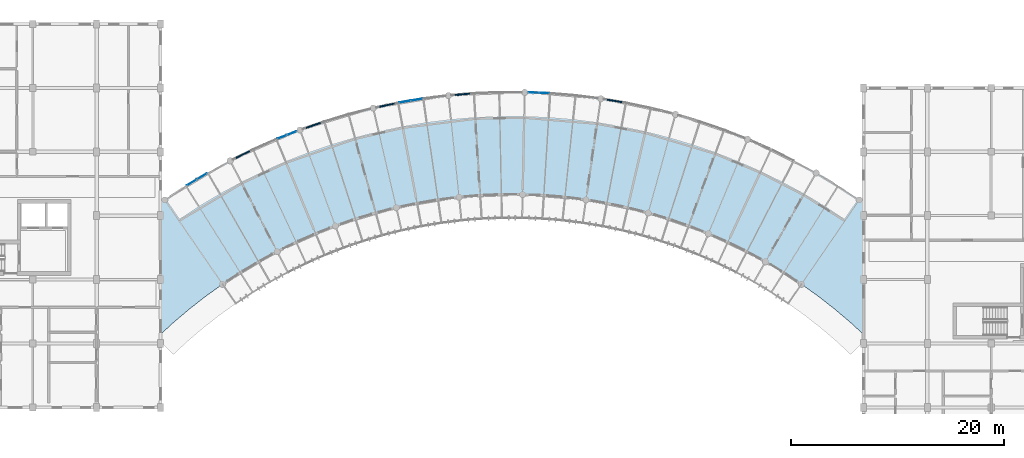
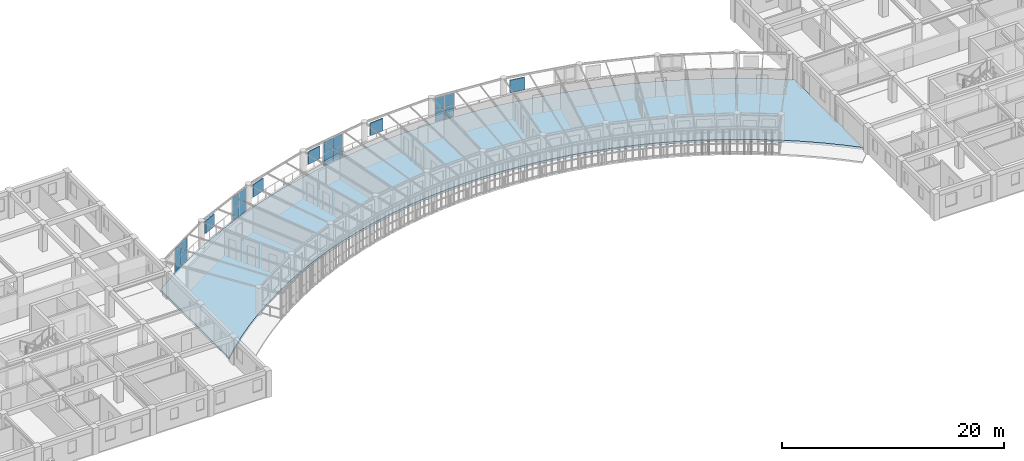
# One storey, part 50 of 100: 21 plates, 1 slab, 4 elements without a shape of their own.
"""IFC4 building model written with IfcOpenShell, lengths in metres."""

from ifc_helpers import new_model, si_unit, direction, frame, origin, origin_2d, place, context, subcontext, project, spatial, polyline, rectangle, outline, extrude, material, layer, layer_set, type_object, element, aggregate, save


model = new_model("IFC4")

# Units and contexts
model_context = context("Model", 3, precision=1e-05, world=origin(), true_north=direction((0.0, 1.0)))
body_context = subcontext(model_context, "Body", "Model", "MODEL_VIEW")
ifc_project = project(units=[si_unit("LENGTHUNIT", "METRE"), si_unit("AREAUNIT", "SQUARE_METRE"), si_unit("VOLUMEUNIT", "CUBIC_METRE"), si_unit("PLANEANGLEUNIT", "RADIAN"), si_unit("MASSUNIT", "GRAM", prefix="KILO"), si_unit("POWERUNIT", "WATT"), si_unit("THERMODYNAMICTEMPERATUREUNIT", "KELVIN")], contexts=[model_context])

# Site, building, storey
site_placement = place(None, origin())
site = spatial("IfcSite", under=ifc_project, at=site_placement, CompositionType="ELEMENT")
building_placement = place(site_placement, origin())
building = spatial("IfcBuilding", under=site, at=building_placement, Name="Ruvembo Vaulted Housing Court", CompositionType="ELEMENT")
storey_placement = place(building_placement, frame((0.0, 0.0, 14.10009765625)))
storey = spatial("IfcBuildingStorey", under=building, at=storey_placement, Name="L04", CompositionType="ELEMENT", Elevation=14.10009765625)

# Curtain wall, plates
ifc_material_1 = material(Name="Anodised Aluminium and Solar-Control Glass", Category="aluminium")
ifc_layer_1 = layer(ifc_material_1, 0.1201171875, Name="Anodised Aluminium and Solar-Control Glass")
ifc_layer_set_1 = layer_set([ifc_layer_1], Name="Anodised Aluminium and Solar-Control Glass")
curtain_wall_type_1 = type_object("IfcCurtainWallType", Name="CW-SCOOP-GAL", PredefinedType="NOTDEFINED", material=ifc_layer_set_1)
curtain_wall_1_placement = place(storey_placement, origin())
curtain_wall_1 = element("IfcCurtainWall", 1, at=curtain_wall_1_placement, inside=storey, type_object=curtain_wall_type_1, Name="L04 Curtain Wall CW-L04-0078", PredefinedType="NOTDEFINED")
ifc_material_2 = material(Name="Solar-Control Laminated Insulating Glass", Category="glass")
ifc_layer_2 = layer(ifc_material_2, 0.035888671875, Name="Solar-Control Laminated Insulating Glass")
ifc_layer_set_2 = layer_set([ifc_layer_2], Name="Solar-Control Laminated Insulating Glass")
plate_type_1 = type_object("IfcPlateType", Name="CW-PANEL-ACOUST", PredefinedType="CURTAIN_PANEL", material=ifc_layer_set_2)
plate_1_placement = place(storey_placement, frame((95.40625, 103.389404296875, 0.06005859375), z_axis=(0.0, 0.0, 1.0), x_axis=(0.931006177244, 0.36500342181, 0.0)))
plate_1 = element("IfcPlate", 2, at=plate_1_placement, type_object=plate_type_1, Name="CW6 panel 1.1", PredefinedType="CURTAIN_PANEL", context=body_context, shape_type="SweptSolid", body=[
    extrude(rectangle(XDim=0.9228515625, YDim=0.035888671875, at=origin_2d()), origin(), (0.0, 0.0, 1.0), 1.259033203125),
])
plate_2_placement = place(storey_placement, frame((95.40625, 103.389404296875, 1.37890625), z_axis=(0.0, 0.0, 1.0), x_axis=(0.931006177244, 0.36500342181, 0.0)))
plate_2 = element("IfcPlate", 3, at=plate_2_placement, type_object=plate_type_1, Name="CW6 panel 1.2", PredefinedType="CURTAIN_PANEL", context=body_context, shape_type="SweptSolid", body=[
    extrude(rectangle(XDim=0.9228515625, YDim=0.035888671875, at=origin_2d()), origin(), (0.0, 0.0, 1.0), 1.259033203125),
])
plate_3_placement = place(storey_placement, frame((96.326171875, 103.75, 0.06005859375), z_axis=(0.0, 0.0, 1.0), x_axis=(0.931006177244, 0.36500342181, 0.0)))
plate_3 = element("IfcPlate", 4, at=plate_3_placement, type_object=plate_type_1, Name="CW6 panel 2.1", PredefinedType="CURTAIN_PANEL", context=body_context, shape_type="SweptSolid", body=[
    extrude(rectangle(XDim=0.9228515625, YDim=0.035888671875, at=origin_2d()), origin(), (0.0, 0.0, 1.0), 1.259033203125),
])
plate_4_placement = place(storey_placement, frame((96.326171875, 103.75, 1.37890625), z_axis=(0.0, 0.0, 1.0), x_axis=(0.931006177244, 0.36500342181, 0.0)))
plate_4 = element("IfcPlate", 5, at=plate_4_placement, type_object=plate_type_1, Name="CW6 panel 2.2", PredefinedType="CURTAIN_PANEL", context=body_context, shape_type="SweptSolid", body=[
    extrude(rectangle(XDim=0.9228515625, YDim=0.035888671875, at=origin_2d()), origin(), (0.0, 0.0, 1.0), 1.259033203125),
])
aggregate(curtain_wall_1, [plate_1, plate_2, plate_3, plate_4])

curtain_wall_2_placement = place(storey_placement, origin())
curtain_wall_2 = element("IfcCurtainWall", 6, at=curtain_wall_2_placement, inside=storey, type_object=curtain_wall_type_1, Name="L04 Curtain Wall CW-L04-0077", PredefinedType="NOTDEFINED")
ifc_layer_3 = layer(ifc_material_2, 0.028076171875, Name="Solar-Control Laminated Insulating Glass")
ifc_layer_set_3 = layer_set([ifc_layer_3], Name="Solar-Control Laminated Insulating Glass")
plate_type_2 = type_object("IfcPlateType", Name="CW-PANEL-GLAZED", PredefinedType="CURTAIN_PANEL", material=ifc_layer_set_3)
plate_5_placement = place(storey_placement, frame((86.931640625, 99.11767578125, 0.06005859375), z_axis=(0.0, 0.0, 1.0), x_axis=(0.85789323734, 0.513827980288, 0.0)))
plate_5 = element("IfcPlate", 7, at=plate_5_placement, type_object=plate_type_2, Name="CW6 panel 1.1", PredefinedType="CURTAIN_PANEL", context=body_context, shape_type="SweptSolid", body=[
    extrude(rectangle(XDim=1.055419921875, YDim=0.028076171875, at=origin_2d()), origin(), (0.0, 0.0, 1.0), 1.259033203125),
])
plate_6_placement = place(storey_placement, frame((86.931640625, 99.11767578125, 1.37890625), z_axis=(0.0, 0.0, 1.0), x_axis=(0.85789323734, 0.513827980288, 0.0)))
plate_6 = element("IfcPlate", 8, at=plate_6_placement, type_object=plate_type_2, Name="CW6 panel 1.2", PredefinedType="CURTAIN_PANEL", context=body_context, shape_type="SweptSolid", body=[
    extrude(rectangle(XDim=1.055419921875, YDim=0.028076171875, at=origin_2d()), origin(), (0.0, 0.0, 1.0), 1.259033203125),
])
plate_7_placement = place(storey_placement, frame((87.888427734375, 99.690673828125, 0.06005859375), z_axis=(0.0, 0.0, 1.0), x_axis=(0.85789323734, 0.513827980288, 0.0)))
plate_7 = element("IfcPlate", 9, at=plate_7_placement, type_object=plate_type_2, Name="CW6 panel 2.1", PredefinedType="CURTAIN_PANEL", context=body_context, shape_type="SweptSolid", body=[
    extrude(rectangle(XDim=1.055419921875, YDim=0.028076171875, at=origin_2d()), origin(), (0.0, 0.0, 1.0), 1.259033203125),
])
plate_8_placement = place(storey_placement, frame((87.888427734375, 99.690673828125, 1.37890625), z_axis=(0.0, 0.0, 1.0), x_axis=(0.85789323734, 0.513827980288, 0.0)))
plate_8 = element("IfcPlate", 10, at=plate_8_placement, type_object=plate_type_2, Name="CW6 panel 2.2", PredefinedType="CURTAIN_PANEL", context=body_context, shape_type="SweptSolid", body=[
    extrude(rectangle(XDim=1.055419921875, YDim=0.028076171875, at=origin_2d()), origin(), (0.0, 0.0, 1.0), 1.259033203125),
])
aggregate(curtain_wall_2, [plate_5, plate_6, plate_7, plate_8])

curtain_wall_3_placement = place(storey_placement, origin())
curtain_wall_3 = element("IfcCurtainWall", 11, at=curtain_wall_3_placement, inside=storey, type_object=curtain_wall_type_1, Name="L04 Curtain Wall CW-L04-0080", PredefinedType="NOTDEFINED")
plate_9_placement = place(storey_placement, frame((119.019775390625, 107.553466796875, 0.06005859375), z_axis=(0.0, 0.0, 1.0), x_axis=(0.999138414819, -0.041502144927, 0.0)))
plate_9 = element("IfcPlate", 12, at=plate_9_placement, type_object=plate_type_2, Name="CW6 panel 1.1", PredefinedType="CURTAIN_PANEL", context=body_context, shape_type="SweptSolid", body=[
    extrude(rectangle(XDim=0.930419921875, YDim=0.028076171875, at=origin_2d()), origin(), (0.0, 0.0, 1.0), 1.259033203125),
])
plate_10_placement = place(storey_placement, frame((119.019775390625, 107.553466796875, 1.37890625), z_axis=(0.0, 0.0, 1.0), x_axis=(0.999138414819, -0.041502144927, 0.0)))
plate_10 = element("IfcPlate", 13, at=plate_10_placement, type_object=plate_type_2, Name="CW6 panel 1.2", PredefinedType="CURTAIN_PANEL", context=body_context, shape_type="SweptSolid", body=[
    extrude(rectangle(XDim=0.930419921875, YDim=0.028076171875, at=origin_2d()), origin(), (0.0, 0.0, 1.0), 1.259033203125),
])
plate_11_placement = place(storey_placement, frame((120.009521484375, 107.51220703125, 0.06005859375), z_axis=(0.0, 0.0, 1.0), x_axis=(0.999138414819, -0.041502144927, 0.0)))
plate_11 = element("IfcPlate", 14, at=plate_11_placement, type_object=plate_type_2, Name="CW6 panel 2.1", PredefinedType="CURTAIN_PANEL", context=body_context, shape_type="SweptSolid", body=[
    extrude(rectangle(XDim=0.930419921875, YDim=0.028076171875, at=origin_2d()), origin(), (0.0, 0.0, 1.0), 1.259033203125),
])
plate_12_placement = place(storey_placement, frame((120.009521484375, 107.51220703125, 1.37890625), z_axis=(0.0, 0.0, 1.0), x_axis=(0.999138414819, -0.041502144927, 0.0)))
plate_12 = element("IfcPlate", 15, at=plate_12_placement, type_object=plate_type_2, Name="CW6 panel 2.2", PredefinedType="CURTAIN_PANEL", context=body_context, shape_type="SweptSolid", body=[
    extrude(rectangle(XDim=0.930419921875, YDim=0.028076171875, at=origin_2d()), origin(), (0.0, 0.0, 1.0), 1.259033203125),
])
aggregate(curtain_wall_3, [plate_9, plate_10, plate_11, plate_12])

ifc_layer_4 = layer(ifc_material_1, 0.139892578125, Name="Anodised Aluminium and Solar-Control Glass")
ifc_layer_set_4 = layer_set([ifc_layer_4], Name="Anodised Aluminium and Solar-Control Glass")
curtain_wall_type_2 = type_object("IfcCurtainWallType", Name="CW-SCOOP-PAN", PredefinedType="NOTDEFINED", material=ifc_layer_set_4)
curtain_wall_4_placement = place(storey_placement, origin())
curtain_wall_4 = element("IfcCurtainWall", 16, at=curtain_wall_4_placement, inside=storey, type_object=curtain_wall_type_2, Name="L04 Curtain Wall CW-L04-0079", PredefinedType="NOTDEFINED")
ifc_layer_5 = layer(ifc_material_2, 0.031982421875, Name="Solar-Control Laminated Insulating Glass")
ifc_layer_set_5 = layer_set([ifc_layer_5], Name="Solar-Control Laminated Insulating Glass")
plate_type_3 = type_object("IfcPlateType", Name="CW-PANEL-SOLAR", PredefinedType="CURTAIN_PANEL", material=ifc_layer_set_5)
plate_13_placement = place(storey_placement, frame((106.9306640625, 106.703125, 0.06494140625), z_axis=(0.0, 0.0, 1.0), x_axis=(0.986249615635, 0.165262505305, 0.0)))
plate_13 = element("IfcPlate", 17, at=plate_13_placement, type_object=plate_type_3, Name="CW10 panel 1.1", PredefinedType="CURTAIN_PANEL", context=body_context, shape_type="SweptSolid", body=[
    extrude(rectangle(XDim=1.06298828125, YDim=0.031982421875, at=origin_2d()), origin(), (0.0, 0.0, 1.0), 1.25146484375),
])
plate_14_placement = place(storey_placement, frame((106.9306640625, 106.703125, 1.38134765625), z_axis=(0.0, 0.0, 1.0), x_axis=(0.986249615635, 0.165262505305, 0.0)))
plate_14 = element("IfcPlate", 18, at=plate_14_placement, type_object=plate_type_3, Name="CW10 panel 1.2", PredefinedType="CURTAIN_PANEL", context=body_context, shape_type="SweptSolid", body=[
    extrude(rectangle(XDim=1.06298828125, YDim=0.031982421875, at=origin_2d()), origin(), (0.0, 0.0, 1.0), 1.25146484375),
])
plate_15_placement = place(storey_placement, frame((108.033203125, 106.887939453125, 0.06494140625), z_axis=(0.0, 0.0, 1.0), x_axis=(0.986249615635, 0.165262505305, 0.0)))
plate_15 = element("IfcPlate", 19, at=plate_15_placement, type_object=plate_type_3, Name="CW10 panel 2.1", PredefinedType="CURTAIN_PANEL", context=body_context, shape_type="SweptSolid", body=[
    extrude(rectangle(XDim=1.06298828125, YDim=0.031982421875, at=origin_2d()), origin(), (0.0, 0.0, 1.0), 1.25146484375),
])
plate_16_placement = place(storey_placement, frame((108.033203125, 106.887939453125, 1.38134765625), z_axis=(0.0, 0.0, 1.0), x_axis=(0.986249615635, 0.165262505305, 0.0)))
plate_16 = element("IfcPlate", 20, at=plate_16_placement, type_object=plate_type_3, Name="CW10 panel 2.2", PredefinedType="CURTAIN_PANEL", context=body_context, shape_type="SweptSolid", body=[
    extrude(rectangle(XDim=1.06298828125, YDim=0.031982421875, at=origin_2d()), origin(), (0.0, 0.0, 1.0), 1.25146484375),
])
aggregate(curtain_wall_4, [plate_13, plate_14, plate_15, plate_16])

# Plates
ifc_material_3 = material(Name="Perforated Glazed Ceramic Cobogo Block", Category="ceramic")
ifc_layer_6 = layer(ifc_material_3, 0.1201171875, Name="Perforated Glazed Ceramic Cobogo Block")
ifc_layer_set_6 = layer_set([ifc_layer_6], Name="Perforated Glazed Ceramic Cobogo Block")
plate_type_4 = type_object("IfcPlateType", Name="PL-COBOGO-120", PredefinedType="USERDEFINED", material=ifc_layer_set_6)
for number, where, z_axis, x_axis, name in (
    (21, (91.720947265625, 101.742919921875, 1.11962890625), (0.0, 0.0, 1.0), (0.897558685292, 0.44089500616, 0.0), "Scoop SC3 L04 Ceramic Cobogo Screen #96"),
    (22, (98.34375, 104.482177734375, 1.11962890625), (0.0, 0.0, 1.0), (0.945370740111, 0.325997183641, 0.0), "Scoop SC3 L04 Ceramic Cobogo Screen #97"),
    (23, (105.255615234375, 106.37744140625, 1.11962890625), (0.0, 0.0, 1.0), (0.978534170393, 0.206084636433, 0.0), "Scoop SC3 L04 Ceramic Cobogo Screen #98"),
    (24, (112.34912109375, 107.399658203125, 1.11962890625), (0.0, 0.0, 1.0), (0.996553930577, 0.082947353498, 0.0), "Scoop SC3 L04 Ceramic Cobogo Screen #99"),
    (25, (126.641357421875, 106.77490234375, 1.11962890625), (0.0, 0.0, 1.0), (0.986245243357, -0.165288595967, 0.0), "Scoop SC3 L04 Ceramic Cobogo Screen #100"),
):
    element("IfcPlate", number, at=place(storey_placement, frame(where, z_axis=z_axis, x_axis=x_axis)), inside=storey, type_object=plate_type_4, Name=name, ObjectType="COBOGO_PANEL", PredefinedType="USERDEFINED", context=body_context, shape_type="SweptSolid", body=[
        extrude(rectangle(XDim=1.39990234375, YDim=0.1201171875, at=origin_2d()), origin(), (0.0, 0.0, 1.0), 1.360107421875),
    ])

# Slab
ifc_material_4 = material(Name="Concrete C35/45", Category="concrete")
ifc_layer_7 = layer(ifc_material_4, 0.251953125, Name="Concrete C35/45")
ifc_layer_set_7 = layer_set([ifc_layer_7], Name="Concrete C35/45")
slab_type = type_object("IfcSlabType", Name="SL-SCOOP-252", PredefinedType="FLOOR", material=ifc_layer_set_7)
slab_placement = place(storey_placement, frame((0.0, 0.0, -0.252197265625)))
element("IfcSlab", 26, at=slab_placement, inside=storey, type_object=slab_type, Name="Scoop SC3 L04 Floor Slab", PredefinedType="FLOOR", context=body_context, shape_type="SweptSolid", body=[
    extrude(outline(polyline([(150.0, 84.8466796875), (150.0, 97.2001953125), (149.61376953125, 97.477294921875), (147.615478515625, 98.789794921875), (145.564453125, 100.018310546875), (143.464111328125, 101.16064453125), (141.318115234375, 102.21484375), (139.13037109375, 103.178955078125), (136.904541015625, 104.051513671875), (134.644287109375, 104.8310546875), (132.353759765625, 105.51611328125), (130.03662109375, 106.105224609375), (127.697021484375, 106.597900390625), (125.339111328125, 106.9931640625), (122.966796875, 107.2900390625), (120.584228515625, 107.48828125), (118.1953125, 107.587646484375), (115.8046875, 107.587646484375), (113.415771484375, 107.48828125), (111.033203125, 107.2900390625), (108.660888671875, 106.9931640625), (106.302978515625, 106.597900390625), (103.96337890625, 106.105224609375), (101.646240234375, 105.51611328125), (99.355712890625, 104.8310546875), (97.095458984375, 104.051513671875), (94.86962890625, 103.178955078125), (92.681884765625, 102.21484375), (90.535888671875, 101.16064453125), (88.435546875, 100.018310546875), (86.384521484375, 98.789794921875), (84.38623046875, 97.477294921875), (84.0, 97.2001953125), (84.0, 84.8466796875), (85.117919921875, 85.88232421875), (86.634521484375, 87.17431640625), (88.203369140625, 88.402587890625), (89.82177734375, 89.564453125), (91.487060546875, 90.658203125), (93.1962890625, 91.681884765625), (94.946533203125, 92.6337890625), (96.73486328125, 93.51220703125), (98.55810546875, 94.31591796875), (100.412841796875, 95.04296875), (102.29638671875, 95.6923828125), (104.205322265625, 96.26318359375), (106.13623046875, 96.75439453125), (108.085693359375, 97.1650390625), (110.05078125, 97.494384765625), (112.027587890625, 97.74169921875), (114.01318359375, 97.906982421875), (116.00390625, 97.98974609375), (117.99609375, 97.98974609375), (119.98681640625, 97.906982421875), (121.972412109375, 97.74169921875), (123.94921875, 97.494384765625), (125.914306640625, 97.1650390625), (127.86376953125, 96.75439453125), (129.794677734375, 96.26318359375), (131.70361328125, 95.6923828125), (133.587158203125, 95.04296875), (135.44189453125, 94.31591796875), (137.26513671875, 93.51220703125), (139.053466796875, 92.6337890625), (140.8037109375, 91.681884765625), (142.512939453125, 90.658203125), (144.17822265625, 89.564453125), (145.796630859375, 88.402587890625), (147.365478515625, 87.17431640625), (148.882080078125, 85.88232421875), (150.0, 84.8466796875)])), origin(), (0.0, 0.0, 1.0), 0.252197265625),
])

save(model, "model.ifc")
